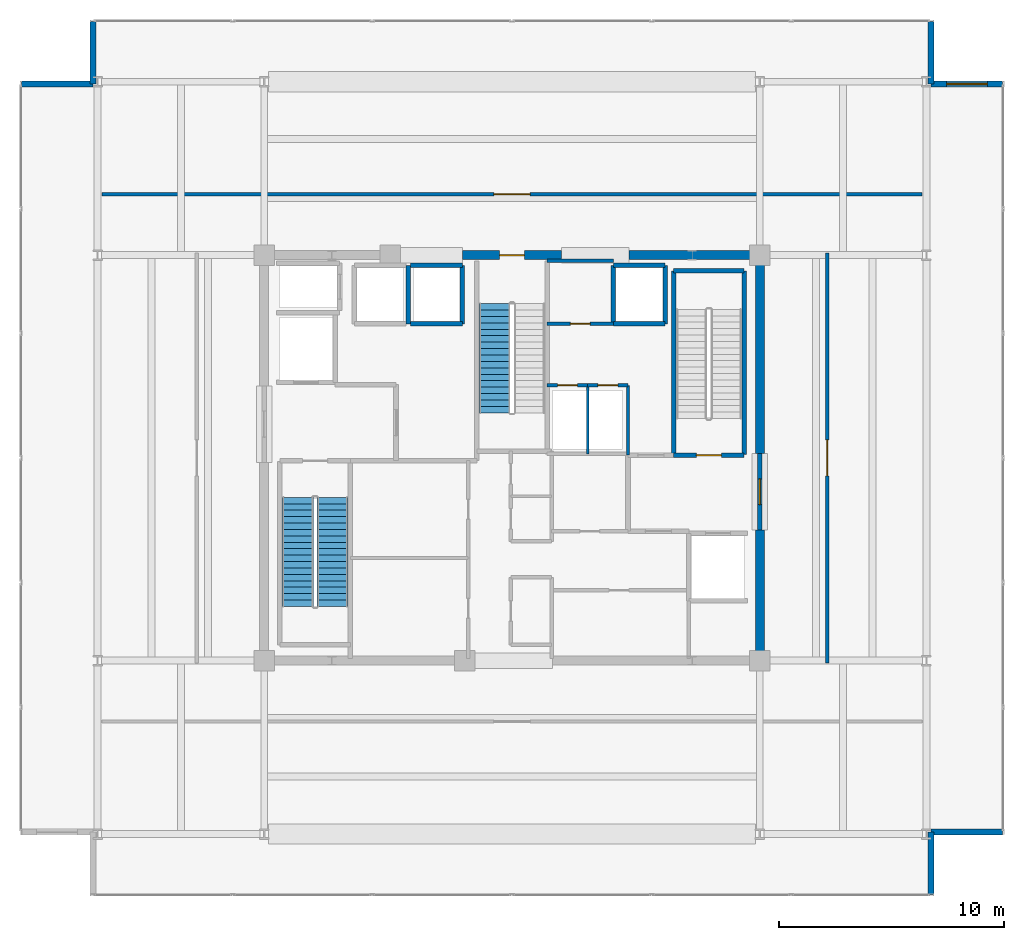
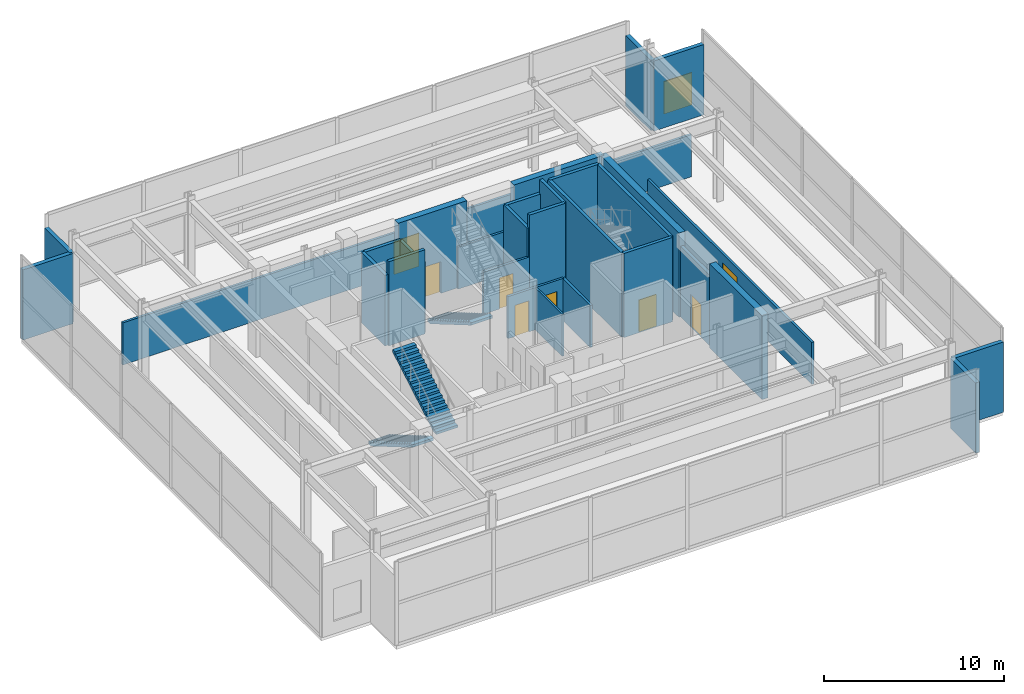
# One storey, part 19 of 21: 31 walls, 8 doors, 3 stair flights, 1 window, 9 openings, 2 elements without a shape of their own.
"""IFC4 building model written with IfcOpenShell, lengths in metres."""

from ifc_helpers import new_model, si_unit, direction, frame, frame_2d, origin, place, context, subcontext, project, spatial, polyline, rectangle, outline, extrude, material, layer, layer_set, type_object, element, fill, aggregate, save


model = new_model("IFC4")

# Units and contexts
model_context = context("Model", 3, precision=1e-05, world=origin(), true_north=direction((0.0, 1.0)))
body_context = subcontext(model_context, "Body", "Model", "MODEL_VIEW")
ifc_project = project(units=[si_unit("LENGTHUNIT", "METRE"), si_unit("AREAUNIT", "SQUARE_METRE"), si_unit("VOLUMEUNIT", "CUBIC_METRE"), si_unit("PLANEANGLEUNIT", "RADIAN"), si_unit("MASSUNIT", "GRAM", prefix="KILO")], contexts=[model_context])

# Site, building, storey
site_placement = place(None, origin())
site = spatial("IfcSite", under=ifc_project, at=site_placement, CompositionType="ELEMENT")
building_placement = place(site_placement, origin())
building = spatial("IfcBuilding", under=site, at=building_placement, Name="Kovane Verandah Tower", CompositionType="ELEMENT")
storey_placement = place(building_placement, frame((0.0, 0.0, 342.800048828125)))
storey = spatial("IfcBuildingStorey", under=building, at=storey_placement, Name="L80", CompositionType="ELEMENT", Elevation=342.800048828125)

# Wall
ifc_material_1 = material(Name="Fire-Rated Gypsum Stud Partition", Category="gypsum")
ifc_layer_1 = layer(ifc_material_1, 0.14990234375)
ifc_layer_set_1 = layer_set([ifc_layer_1], Name="Fire-Rated Gypsum Stud Partition")
wall_type_1 = type_object("IfcWallType", Name="WL-COR-150", PredefinedType="PARTITIONING", material=ifc_layer_set_1)
wall_1_placement = place(storey_placement, frame((45.14990234375, 27.6201171875, 0.0), z_axis=(0.0, 0.0, 1.0), x_axis=(0.0, 1.0, 0.0)))
element("IfcWall", 1, at=wall_1_placement, inside=storey, type_object=wall_type_1, Name="L80 East Core Service Riser East Wall", PredefinedType="PARTITIONING", context=body_context, shape_type="SweptSolid", body=[
    extrude(rectangle(XDim=3.099853515625, YDim=0.14990234375, at=frame_2d((1.5498046875, 0.0))), origin(), (0.0, 0.0, 1.0), 2.849853515625),
])

# Wall, opening, door
wall_2_placement = place(storey_placement, frame((41.56005859375, 30.719970703125, 0.0), z_axis=(0.0, 0.0, 1.0), x_axis=(1.0, 0.0, 0.0)))
wall_2 = element("IfcWall", 2, at=wall_2_placement, inside=storey, type_object=wall_type_1, Name="L80 Chilled Water Riser Room Partition", PredefinedType="PARTITIONING", context=body_context, shape_type="SweptSolid", body=[
    extrude(rectangle(XDim=1.800048828125, YDim=0.14990234375, at=frame_2d((0.89990234375, 0.0))), origin(), (0.0, 0.0, 1.0), 2.849853515625),
])
opening_1_placement = place(wall_2_placement, frame((0.4599609375, 0.0, 0.0)))
opening_1 = element("IfcOpeningElement", 3, at=opening_1_placement, cuts=wall_2, Name="Opening DR-L80-016", PredefinedType="OPENING", context=body_context, shape_type="SweptSolid", body=[
    extrude(rectangle(XDim=0.8798828125, YDim=2.10009765625, at=frame_2d((0.43994140625, 1.050048828125))), frame((0.0, 0.074951171875, 0.0), z_axis=(0.0, -1.0, 0.0), x_axis=(1.0, 0.0, 0.0)), (0.0, 0.0, 1.0), 0.14990234375),
])
ifc_material_2 = material(Name="Fire-Rated Steel Riser Access Door", Category="steel")
door_type_1 = type_object("IfcDoorType", Name="DR-RISER-880", OperationType="SINGLE_SWING_LEFT", PredefinedType="DOOR", material=ifc_material_2)
door_1_placement = place(opening_1_placement, origin())
door_1 = element("IfcDoor", 4, at=door_1_placement, inside=storey, type_object=door_type_1, Name="L80 Chilled Water Riser Room Door", OperationType="SINGLE_SWING_LEFT", OverallHeight=2.10009765625, OverallWidth=0.8798828125, PredefinedType="DOOR", context=body_context, shape_type="SweptSolid", body=[
    extrude(rectangle(XDim=0.8798828125, YDim=2.10009765625, at=frame_2d((0.43994140625, 1.050048828125))), frame((0.0, 0.02490234375, 0.0), z_axis=(0.0, -1.0, 0.0), x_axis=(1.0, 0.0, 0.0)), (0.0, 0.0, 1.0), 0.050048828125),
])
fill(opening_1, door_1)

wall_3_placement = place(storey_placement, frame((43.360107421875, 30.719970703125, 0.0), z_axis=(0.0, 0.0, 1.0), x_axis=(1.0, 0.0, 0.0)))
wall_3 = element("IfcWall", 5, at=wall_3_placement, inside=storey, type_object=wall_type_1, Name="L80 Smoke Extract Duct Room Partition", PredefinedType="PARTITIONING", context=body_context, shape_type="SweptSolid", body=[
    extrude(rectangle(XDim=1.789794921875, YDim=0.14990234375, at=frame_2d((0.89501953125, 0.0))), origin(), (0.0, 0.0, 1.0), 2.849853515625),
])
opening_2_placement = place(wall_3_placement, frame((0.455078125, 0.0, 0.0)))
opening_2 = element("IfcOpeningElement", 6, at=opening_2_placement, cuts=wall_3, Name="Opening DR-L80-017", PredefinedType="OPENING", context=body_context, shape_type="SweptSolid", body=[
    extrude(rectangle(XDim=0.8798828125, YDim=2.10009765625, at=frame_2d((0.43994140625, 1.050048828125))), frame((0.0, 0.074951171875, 0.0), z_axis=(0.0, -1.0, 0.0), x_axis=(1.0, 0.0, 0.0)), (0.0, 0.0, 1.0), 0.14990234375),
])
door_2_placement = place(opening_2_placement, origin())
door_2 = element("IfcDoor", 7, at=door_2_placement, inside=storey, type_object=door_type_1, Name="L80 Smoke Extract Duct Room Door", OperationType="SINGLE_SWING_RIGHT", OverallHeight=2.10009765625, OverallWidth=0.8798828125, PredefinedType="DOOR", context=body_context, shape_type="SweptSolid", body=[
    extrude(rectangle(XDim=0.8798828125, YDim=2.10009765625, at=frame_2d((0.43994140625, 1.050048828125))), frame((0.0, 0.02490234375, 0.0), z_axis=(0.0, -1.0, 0.0), x_axis=(1.0, 0.0, 0.0)), (0.0, 0.0, 1.0), 0.050048828125),
])
fill(opening_2, door_2)

# Wall
wall_4_placement = place(storey_placement, frame((41.56005859375, 36.25, 0.0), z_axis=(0.0, 0.0, 1.0), x_axis=(1.0, 0.0, 0.0)))
element("IfcWall", 8, at=wall_4_placement, inside=storey, type_object=wall_type_1, Name="L80 Sky Telecom Riser North Wall", PredefinedType="PARTITIONING", context=body_context, shape_type="SweptSolid", body=[
    extrude(rectangle(XDim=2.93994140625, YDim=0.14990234375, at=frame_2d((1.469970703125, 0.0))), origin(), (0.0, 0.0, 1.0), 2.849853515625),
])

# Wall, opening, door
wall_5_placement = place(storey_placement, frame((41.56005859375, 33.449951171875, 0.0), z_axis=(0.0, 0.0, 1.0), x_axis=(1.0, 0.0, 0.0)))
wall_5 = element("IfcWall", 9, at=wall_5_placement, inside=storey, type_object=wall_type_1, Name="L80 Sky Telecom Riser Room Partition", PredefinedType="PARTITIONING", context=body_context, shape_type="SweptSolid", body=[
    extrude(rectangle(XDim=2.93994140625, YDim=0.14990234375, at=frame_2d((1.469970703125, 0.0))), origin(), (0.0, 0.0, 1.0), 2.849853515625),
])
opening_3_placement = place(wall_5_placement, frame((1.030029296875, 0.0, 0.0)))
opening_3 = element("IfcOpeningElement", 10, at=opening_3_placement, cuts=wall_5, Name="Opening DR-L80-013", PredefinedType="OPENING", context=body_context, shape_type="SweptSolid", body=[
    extrude(rectangle(XDim=0.8798828125, YDim=2.10009765625, at=frame_2d((0.43994140625, 1.050048828125))), frame((0.0, 0.074951171875, 0.0), z_axis=(0.0, -1.0, 0.0), x_axis=(1.0, 0.0, 0.0)), (0.0, 0.0, 1.0), 0.14990234375),
])
door_3_placement = place(opening_3_placement, origin())
door_3 = element("IfcDoor", 11, at=door_3_placement, inside=storey, type_object=door_type_1, Name="L80 Sky Telecom Riser Room Door", OperationType="SINGLE_SWING_LEFT", OverallHeight=2.10009765625, OverallWidth=0.8798828125, PredefinedType="DOOR", context=body_context, shape_type="SweptSolid", body=[
    extrude(rectangle(XDim=0.8798828125, YDim=2.10009765625, at=frame_2d((0.43994140625, 1.050048828125))), frame((0.0, 0.02490234375, 0.0), z_axis=(0.0, -1.0, 0.0), x_axis=(1.0, 0.0, 0.0)), (0.0, 0.0, 1.0), 0.050048828125),
])
fill(opening_3, door_3)

wall_6_placement = place(storey_placement, frame((21.800048828125, 39.199951171875, 0.0), z_axis=(0.0, 0.0, 1.0), x_axis=(1.0, 0.0, 0.0)))
wall_6 = element("IfcWall", 12, at=wall_6_placement, inside=storey, type_object=wall_type_1, Name="L80 Glazed Tuned Mass Damper Plant Chamber North Corridor Partition", PredefinedType="PARTITIONING", context=body_context, shape_type="SweptSolid", body=[
    extrude(rectangle(XDim=36.39990234375, YDim=0.14990234375, at=frame_2d((18.199951171875, 0.0))), origin(), (0.0, 0.0, 1.0), 2.849853515625),
])
opening_4_placement = place(wall_6_placement, frame((17.39990234375, 0.0, 0.0)))
opening_4 = element("IfcOpeningElement", 13, at=opening_4_placement, cuts=wall_6, Name="Opening DR-L80-018", PredefinedType="OPENING", context=body_context, shape_type="SweptSolid", body=[
    extrude(rectangle(XDim=1.60009765625, YDim=2.25, at=frame_2d((0.800048828125, 1.125))), frame((0.0, 0.074951171875, 0.0), z_axis=(0.0, -1.0, 0.0), x_axis=(1.0, 0.0, 0.0)), (0.0, 0.0, 1.0), 0.14990234375),
])
ifc_material_3 = material(Name="Louvred Acoustic Steel Double Plant Door", Category="steel")
door_type_2 = type_object("IfcDoorType", Name="DR-PLANT-1600", OperationType="DOUBLE_DOOR_SINGLE_SWING", PredefinedType="DOOR", material=ifc_material_3)
door_4_placement = place(opening_4_placement, origin())
door_4 = element("IfcDoor", 14, at=door_4_placement, inside=storey, type_object=door_type_2, Name="L80 Glazed Tuned Mass Damper Plant Chamber North Entrance Door", OperationType="DOUBLE_DOOR_SINGLE_SWING", OverallHeight=2.25, OverallWidth=1.60009765625, PredefinedType="DOOR", context=body_context, shape_type="SweptSolid", body=[
    extrude(rectangle(XDim=1.60009765625, YDim=2.25, at=frame_2d((0.800048828125, 1.125))), frame((0.0, 0.02490234375, 0.0), z_axis=(0.0, -1.0, 0.0), x_axis=(1.0, 0.0, 0.0)), (0.0, 0.0, 1.0), 0.050048828125),
])
fill(opening_4, door_4)

wall_7_placement = place(storey_placement, frame((54.0, 18.39990234375, 0.0), z_axis=(0.0, 0.0, 1.0), x_axis=(0.0, 1.0, 0.0)))
wall_7 = element("IfcWall", 15, at=wall_7_placement, inside=storey, type_object=wall_type_1, Name="L80 Crown Mechanical AHU Plant Room Corridor Partition", PredefinedType="PARTITIONING", context=body_context, shape_type="SweptSolid", body=[
    extrude(rectangle(XDim=18.2001953125, YDim=0.14990234375, at=frame_2d((9.10009765625, 0.0))), origin(), (0.0, 0.0, 1.0), 2.849853515625),
])
opening_5_placement = place(wall_7_placement, frame((8.300048828125, 0.0, 0.0)))
opening_5 = element("IfcOpeningElement", 16, at=opening_5_placement, cuts=wall_7, Name="Opening DR-L80-015", PredefinedType="OPENING", context=body_context, shape_type="SweptSolid", body=[
    extrude(rectangle(XDim=1.60009765625, YDim=2.25, at=frame_2d((0.800048828125, 1.125))), frame((0.0, 0.074951171875, 0.0), z_axis=(0.0, -1.0, 0.0), x_axis=(1.0, 0.0, 0.0)), (0.0, 0.0, 1.0), 0.14990234375),
])
door_5_placement = place(opening_5_placement, origin())
door_5 = element("IfcDoor", 17, at=door_5_placement, inside=storey, type_object=door_type_2, Name="L80 Crown Mechanical AHU Plant Room Entrance Door", OperationType="DOUBLE_DOOR_SINGLE_SWING", OverallHeight=2.25, OverallWidth=1.60009765625, PredefinedType="DOOR", context=body_context, shape_type="SweptSolid", body=[
    extrude(rectangle(XDim=1.60009765625, YDim=2.25, at=frame_2d((0.800048828125, 1.125))), frame((0.0, 0.02490234375, 0.0), z_axis=(0.0, -1.0, 0.0), x_axis=(1.0, 0.0, 0.0)), (0.0, 0.0, 1.0), 0.050048828125),
])
fill(opening_5, door_5)

ifc_material_4 = material(Name="Concrete C60/75", Category="concrete")
ifc_layer_2 = layer(ifc_material_4, 0.39990234375)
ifc_layer_set_2 = layer_set([ifc_layer_2], Name="Concrete C60/75")
wall_type_2 = type_object("IfcWallType", Name="WL-CORE-400", PredefinedType="SHEAR", material=ifc_layer_set_2)
wall_8_placement = place(storey_placement, frame((37.800048828125, 36.5, 0.0), z_axis=(0.0, 0.0, 1.0), x_axis=(1.0, 0.0, 0.0)))
wall_8 = element("IfcWall", 18, at=wall_8_placement, inside=storey, type_object=wall_type_2, Name="L80 Core Shear Wall CN-2", PredefinedType="SHEAR", context=body_context, shape_type="SweptSolid", body=[
    extrude(rectangle(XDim=4.39990234375, YDim=0.39990234375, at=frame_2d((2.199951171875, 0.0))), origin(), (0.0, 0.0, 1.0), 5.699951171875),
])
opening_6_placement = place(wall_8_placement, frame((1.64990234375, 0.0, 0.0)))
opening_6 = element("IfcOpeningElement", 19, at=opening_6_placement, cuts=wall_8, Name="Opening DR-L80-008", PredefinedType="OPENING", context=body_context, shape_type="SweptSolid", body=[
    extrude(rectangle(XDim=1.10009765625, YDim=2.14990234375, at=frame_2d((0.550048828125, 1.074951171875))), frame((0.0, 0.199951171875, 0.0), z_axis=(0.0, -1.0, 0.0), x_axis=(1.0, 0.0, 0.0)), (0.0, 0.0, 1.0), 0.39990234375),
])
ifc_material_5 = material(Name="Fire-Rated Steel Exit Door", Category="steel")
door_type_3 = type_object("IfcDoorType", Name="DR-STAIR-1100", OperationType="SINGLE_SWING_LEFT", PredefinedType="DOOR", material=ifc_material_5)
door_6_placement = place(opening_6_placement, origin())
door_6 = element("IfcDoor", 20, at=door_6_placement, inside=storey, type_object=door_type_3, Name="L80 ST-03 Fire Exit Stair Door", OperationType="SINGLE_SWING_LEFT", OverallHeight=2.14990234375, OverallWidth=1.10009765625, PredefinedType="DOOR", context=body_context, shape_type="SweptSolid", body=[
    extrude(rectangle(XDim=1.10009765625, YDim=2.14990234375, at=frame_2d((0.550048828125, 1.074951171875))), frame((0.0, 0.02490234375, 0.0), z_axis=(0.0, -1.0, 0.0), x_axis=(1.0, 0.0, 0.0)), (0.0, 0.0, 1.0), 0.050048828125),
])
fill(opening_6, door_6)

# Walls
for number, where, z_axis, x_axis, name in (
    (21, (45.199951171875, 36.5, 0.0), (0.0, 0.0, 1.0), (1.0, 0.0, 0.0), "L80 Core Shear Wall CN-3"),
    (22, (51.0, 18.5, 0.0), (0.0, 0.0, 1.0), (0.0, 1.0, 0.0), "L80 Core Shear Wall CE-1"),
):
    element("IfcWall", number, at=place(storey_placement, frame(where, z_axis=z_axis, x_axis=x_axis)), inside=storey, type_object=wall_type_2, Name=name, PredefinedType="SHEAR", context=body_context, shape_type="SweptSolid", body=[
        extrude(rectangle(XDim=5.800048828125, YDim=0.39990234375, at=frame_2d((2.89990234375, 0.0))), origin(), (0.0, 0.0, 1.0), 5.699951171875),
    ])
wall_9_placement = place(storey_placement, frame((51.0, 27.699951171875, 0.0), z_axis=(0.0, 0.0, 1.0), x_axis=(0.0, 1.0, 0.0)))
element("IfcWall", 23, at=wall_9_placement, inside=storey, type_object=wall_type_2, Name="L80 Core Shear Wall CE-2", PredefinedType="SHEAR", context=body_context, shape_type="SweptSolid", body=[
    extrude(rectangle(XDim=8.800048828125, YDim=0.39990234375, at=frame_2d((4.39990234375, 0.0))), origin(), (0.0, 0.0, 1.0), 5.699951171875),
])

# Wall, opening, door
ifc_material_6 = material(Name="Concrete C45/55 Fire Wall", Category="concrete")
ifc_layer_3 = layer(ifc_material_6, 0.199951171875)
ifc_layer_set_3 = layer_set([ifc_layer_3], Name="Concrete C45/55 Fire Wall")
wall_type_3 = type_object("IfcWallType", Name="WL-FFL-200", PredefinedType="PARTITIONING", material=ifc_layer_set_3)
wall_10_placement = place(storey_placement, frame((51.0, 24.300048828125, 0.0), z_axis=(0.0, 0.0, 1.0), x_axis=(0.0, 1.0, 0.0)))
wall_10 = element("IfcWall", 24, at=wall_10_placement, inside=storey, type_object=wall_type_3, Name="W-L80-FFLE-OUT", PredefinedType="PARTITIONING", context=body_context, shape_type="SweptSolid", body=[
    extrude(rectangle(XDim=3.39990234375, YDim=0.199951171875, at=frame_2d((1.699951171875, 0.0))), origin(), (0.0, 0.0, 1.0), 4.780029296875),
])
opening_7_placement = place(wall_10_placement, frame((1.125, 0.0, 0.0)))
opening_7 = element("IfcOpeningElement", 25, at=opening_7_placement, cuts=wall_10, Name="Opening DR-L80-003", PredefinedType="OPENING", context=body_context, shape_type="SweptSolid", body=[
    extrude(rectangle(XDim=1.14990234375, YDim=2.199951171875, at=frame_2d((0.574951171875, 1.10009765625))), frame((0.0, 0.10009765625, 0.0), z_axis=(0.0, -1.0, 0.0), x_axis=(1.0, 0.0, 0.0)), (0.0, 0.0, 1.0), 0.199951171875),
])
ifc_material_7 = material(Name="Smoke-Sealed Firefighting Lobby Door", Category="steel")
door_type_4 = type_object("IfcDoorType", Name="DR-FFL-1150", OperationType="SINGLE_SWING_LEFT", PredefinedType="DOOR", material=ifc_material_7)
door_7_placement = place(opening_7_placement, origin())
door_7 = element("IfcDoor", 26, at=door_7_placement, inside=storey, type_object=door_type_4, Name="L80 East Firefighting Lobby Corridor Door", OperationType="SINGLE_SWING_LEFT", OverallHeight=2.199951171875, OverallWidth=1.14990234375, PredefinedType="DOOR", context=body_context, shape_type="SweptSolid", body=[
    extrude(rectangle(XDim=1.14990234375, YDim=2.199951171875, at=frame_2d((0.574951171875, 1.10009765625))), frame((0.0, 0.02490234375, 0.0), z_axis=(0.0, -1.0, 0.0), x_axis=(1.0, 0.0, 0.0)), (0.0, 0.0, 1.0), 0.050048828125),
])
fill(opening_7, door_7)

# Walls
ifc_material_8 = material(Name="Concrete C45/55 Lift Shaft Wall", Category="concrete")
ifc_layer_4 = layer(ifc_material_8, 0.199951171875)
ifc_layer_set_4 = layer_set([ifc_layer_4], Name="Concrete C45/55 Lift Shaft Wall")
wall_type_4 = type_object("IfcWallType", Name="WL-LIFT-200", PredefinedType="SOLIDWALL", material=ifc_layer_set_4)
wall_11_placement = place(storey_placement, frame((35.39990234375, 33.449951171875, 0.0), z_axis=(0.0, 0.0, 1.0), x_axis=(0.0, 1.0, 0.0)))
element("IfcWall", 27, at=wall_11_placement, inside=storey, type_object=wall_type_4, Name="L80 Lift PL-H1 and PL-H2 Shared Shaft Wall", PredefinedType="SOLIDWALL", context=body_context, shape_type="SweptSolid", body=[
    extrude(rectangle(XDim=2.60009765625, YDim=0.199951171875, at=frame_2d((1.300048828125, 0.0))), origin(), (0.0, 0.0, 1.0), 4.780029296875),
])
wall_12_placement = place(storey_placement, frame((35.5, 33.449951171875, 0.0), z_axis=(0.0, 0.0, 1.0), x_axis=(1.0, 0.0, 0.0)))
element("IfcWall", 28, at=wall_12_placement, inside=storey, type_object=wall_type_4, Name="L80 Lift PL-H2 S Shaft Wall", PredefinedType="SOLIDWALL", context=body_context, shape_type="SweptSolid", body=[
    extrude(rectangle(XDim=2.300048828125, YDim=0.199951171875, at=frame_2d((1.14990234375, 0.0))), origin(), (0.0, 0.0, 1.0), 5.699951171875),
])
wall_13_placement = place(storey_placement, frame((37.800048828125, 36.050048828125, 0.0), z_axis=(0.0, 0.0, 1.0), x_axis=(-1.0, 0.0, 0.0)))
element("IfcWall", 29, at=wall_13_placement, inside=storey, type_object=wall_type_4, Name="L80 Lift PL-H2 N Shaft Wall", PredefinedType="SOLIDWALL", context=body_context, shape_type="SweptSolid", body=[
    extrude(rectangle(XDim=2.300048828125, YDim=0.199951171875, at=frame_2d((1.14990234375, 0.0))), origin(), (0.0, 0.0, 1.0), 4.780029296875),
])
wall_14_placement = place(storey_placement, frame((37.800048828125, 33.449951171875, 0.0), z_axis=(0.0, 0.0, 1.0), x_axis=(0.0, 1.0, 0.0)))
element("IfcWall", 30, at=wall_14_placement, inside=storey, type_object=wall_type_4, Name="L80 Lift PL-H2 E Shaft Wall", PredefinedType="SOLIDWALL", context=body_context, shape_type="SweptSolid", body=[
    extrude(rectangle(XDim=2.60009765625, YDim=0.199951171875, at=frame_2d((1.300048828125, 0.0))), origin(), (0.0, 0.0, 1.0), 4.780029296875),
])
wall_15_placement = place(storey_placement, frame((44.5, 33.449951171875, 0.0), z_axis=(0.0, 0.0, 1.0), x_axis=(1.0, 0.0, 0.0)))
element("IfcWall", 31, at=wall_15_placement, inside=storey, type_object=wall_type_4, Name="L80 Lift OL-01 S Shaft Wall", PredefinedType="SOLIDWALL", context=body_context, shape_type="SweptSolid", body=[
    extrude(rectangle(XDim=2.300048828125, YDim=0.199951171875, at=frame_2d((1.14990234375, 0.0))), origin(), (0.0, 0.0, 1.0), 5.699951171875),
])
wall_16_placement = place(storey_placement, frame((46.800048828125, 36.050048828125, 0.0), z_axis=(0.0, 0.0, 1.0), x_axis=(-1.0, 0.0, 0.0)))
element("IfcWall", 32, at=wall_16_placement, inside=storey, type_object=wall_type_4, Name="L80 Lift OL-01 N Shaft Wall", PredefinedType="SOLIDWALL", context=body_context, shape_type="SweptSolid", body=[
    extrude(rectangle(XDim=2.300048828125, YDim=0.199951171875, at=frame_2d((1.14990234375, 0.0))), origin(), (0.0, 0.0, 1.0), 4.780029296875),
])
wall_17_placement = place(storey_placement, frame((44.5, 36.050048828125, 0.0), z_axis=(0.0, 0.0, 1.0), x_axis=(0.0, -1.0, 0.0)))
element("IfcWall", 33, at=wall_17_placement, inside=storey, type_object=wall_type_4, Name="L80 Lift OL-01 W Shaft Wall", PredefinedType="SOLIDWALL", context=body_context, shape_type="SweptSolid", body=[
    extrude(rectangle(XDim=2.60009765625, YDim=0.199951171875, at=frame_2d((1.300048828125, 0.0))), origin(), (0.0, 0.0, 1.0), 4.780029296875),
])
wall_18_placement = place(storey_placement, frame((46.800048828125, 33.449951171875, 0.0), z_axis=(0.0, 0.0, 1.0), x_axis=(0.0, 1.0, 0.0)))
element("IfcWall", 34, at=wall_18_placement, inside=storey, type_object=wall_type_4, Name="L80 Lift OL-01 E Shaft Wall", PredefinedType="SOLIDWALL", context=body_context, shape_type="SweptSolid", body=[
    extrude(rectangle(XDim=2.60009765625, YDim=0.199951171875, at=frame_2d((1.300048828125, 0.0))), origin(), (0.0, 0.0, 1.0), 5.699951171875),
])
ifc_material_9 = material(Name="Acoustic Fire-Rated Gypsum Partition", Category="gypsum")
ifc_layer_5 = layer(ifc_material_9, 0.1201171875)
ifc_layer_set_5 = layer_set([ifc_layer_5], Name="Acoustic Fire-Rated Gypsum Partition")
wall_type_5 = type_object("IfcWallType", Name="WL-PART-120", PredefinedType="PARTITIONING", material=ifc_layer_set_5)
wall_19_placement = place(storey_placement, frame((43.360107421875, 27.679931640625, 0.0), z_axis=(0.0, 0.0, 1.0), x_axis=(0.0, 1.0, 0.0)))
element("IfcWall", 35, at=wall_19_placement, inside=storey, type_object=wall_type_5, Name="L80 Service Riser Dividing Partition", PredefinedType="PARTITIONING", context=body_context, shape_type="SweptSolid", body=[
    extrude(rectangle(XDim=3.0400390625, YDim=0.1201171875, at=frame_2d((1.52001953125, 0.0))), origin(), (0.0, 0.0, 1.0), 2.849853515625),
])
ifc_material_10 = material(Name="Concrete C45/55", Category="concrete")
ifc_layer_6 = layer(ifc_material_10, 0.199951171875)
ifc_layer_set_6 = layer_set([ifc_layer_6], Name="Concrete C45/55")
wall_type_6 = type_object("IfcWallType", Name="WL-SHAFT-200", PredefinedType="SOLIDWALL", material=ifc_layer_set_6)
wall_20_placement = place(storey_placement, frame((50.300048828125, 27.64990234375, 0.0), z_axis=(0.0, 0.0, 1.0), x_axis=(0.0, 1.0, 0.0)))
element("IfcWall", 36, at=wall_20_placement, inside=storey, type_object=wall_type_6, Name="W-L80-ST02-E", PredefinedType="SOLIDWALL", context=body_context, shape_type="SweptSolid", body=[
    extrude(rectangle(XDim=8.150146484375, YDim=0.199951171875, at=frame_2d((4.0751953125, 0.0))), origin(), (0.0, 0.0, 1.0), 5.699951171875),
])
wall_21_placement = place(storey_placement, frame((47.179931640625, 35.800048828125, 0.0), z_axis=(0.0, 0.0, 1.0), x_axis=(1.0, 0.0, 0.0)))
element("IfcWall", 37, at=wall_21_placement, inside=storey, type_object=wall_type_6, Name="W-L80-ST02-N", PredefinedType="SOLIDWALL", context=body_context, shape_type="SweptSolid", body=[
    extrude(rectangle(XDim=3.1201171875, YDim=0.199951171875, at=frame_2d((1.56005859375, 0.0))), origin(), (0.0, 0.0, 1.0), 5.699951171875),
])
wall_22_placement = place(storey_placement, frame((47.179931640625, 27.6201171875, 0.0), z_axis=(0.0, 0.0, 1.0), x_axis=(0.0, 1.0, 0.0)))
element("IfcWall", 38, at=wall_22_placement, inside=storey, type_object=wall_type_6, Name="W-L80-ST02-W", PredefinedType="SOLIDWALL", context=body_context, shape_type="SweptSolid", body=[
    extrude(rectangle(XDim=8.179931640625, YDim=0.199951171875, at=frame_2d((4.08984375, 0.0))), origin(), (0.0, 0.0, 1.0), 5.699951171875),
])

# Wall, opening, door
wall_23_placement = place(storey_placement, frame((47.179931640625, 27.6201171875, 0.0), z_axis=(0.0, 0.0, 1.0), x_axis=(1.0, 0.0, 0.0)))
wall_23 = element("IfcWall", 39, at=wall_23_placement, inside=storey, type_object=wall_type_6, Name="W-L80-ST02-S", PredefinedType="SOLIDWALL", context=body_context, shape_type="SweptSolid", body=[
    extrude(rectangle(XDim=3.1201171875, YDim=0.199951171875, at=frame_2d((1.56005859375, 0.0))), origin(), (0.0, 0.0, 1.0), 5.699951171875),
])
opening_8_placement = place(wall_23_placement, frame((1.010009765625, 0.0, 0.0)))
opening_8 = element("IfcOpeningElement", 40, at=opening_8_placement, cuts=wall_23, Name="Opening DR-L80-007", PredefinedType="OPENING", context=body_context, shape_type="SweptSolid", body=[
    extrude(rectangle(XDim=1.10009765625, YDim=2.14990234375, at=frame_2d((0.550048828125, 1.074951171875))), frame((0.0, 0.10009765625, 0.0), z_axis=(0.0, -1.0, 0.0), x_axis=(1.0, 0.0, 0.0)), (0.0, 0.0, 1.0), 0.199951171875),
])
door_8_placement = place(opening_8_placement, origin())
door_8 = element("IfcDoor", 41, at=door_8_placement, inside=storey, type_object=door_type_3, Name="L80 ST-02 Fire Exit Stair Door", OperationType="SINGLE_SWING_RIGHT", OverallHeight=2.14990234375, OverallWidth=1.10009765625, PredefinedType="DOOR", context=body_context, shape_type="SweptSolid", body=[
    extrude(rectangle(XDim=1.10009765625, YDim=2.14990234375, at=frame_2d((0.550048828125, 1.074951171875))), frame((0.0, 0.02490234375, 0.0), z_axis=(0.0, -1.0, 0.0), x_axis=(1.0, 0.0, 0.0)), (0.0, 0.0, 1.0), 0.050048828125),
])
fill(opening_8, door_8)

# Walls
ifc_material_11 = material(Name="Concrete C45/55 Insulated Spandrel Wall", Category="concrete")
ifc_layer_7 = layer(ifc_material_11, 0.260009765625)
ifc_layer_set_7 = layer_set([ifc_layer_7], Name="Concrete C45/55 Insulated Spandrel Wall")
wall_type_7 = type_object("IfcWallType", Name="WL-SPANDREL-260", PredefinedType="PARAPET", material=ifc_layer_set_7)
wall_24_placement = place(storey_placement, frame((58.60009765625, 8.10009765625, 0.0), z_axis=(0.0, 0.0, 1.0), x_axis=(0.0, 1.0, 0.0)))
element("IfcWall", 42, at=wall_24_placement, inside=storey, type_object=wall_type_7, Name="L80 SE Notch Cheek Wall 1", PredefinedType="PARAPET", context=body_context, shape_type="SweptSolid", body=[
    extrude(rectangle(XDim=2.7998046875, YDim=0.260009765625, at=frame_2d((1.39990234375, 0.0))), origin(), (0.0, 0.0, 1.0), 4.75341796875),
])
wall_25_placement = place(storey_placement, frame((58.60009765625, 10.89990234375, 0.0), z_axis=(0.0, 0.0, 1.0), x_axis=(1.0, 0.0, 0.0)))
element("IfcWall", 43, at=wall_25_placement, inside=storey, type_object=wall_type_7, Name="L80 SE Notch Cheek Wall 2", PredefinedType="PARAPET", context=body_context, shape_type="SweptSolid", body=[
    extrude(rectangle(XDim=3.199951171875, YDim=0.260009765625, at=frame_2d((1.60009765625, 0.0))), origin(), (0.0, 0.0, 1.0), 4.75341796875),
])

# Wall, opening, window
wall_26_placement = place(storey_placement, frame((61.800048828125, 44.10009765625, 0.0), z_axis=(0.0, 0.0, 1.0), x_axis=(-1.0, 0.0, 0.0)))
wall_26 = element("IfcWall", 44, at=wall_26_placement, inside=storey, type_object=wall_type_7, Name="L80 NE Notch Cheek Wall 1", PredefinedType="PARAPET", context=body_context, shape_type="SweptSolid", body=[
    extrude(rectangle(XDim=3.199951171875, YDim=0.260009765625, at=frame_2d((1.60009765625, 0.0))), origin(), (0.0, 0.0, 1.0), 4.75341796875),
])
opening_9_placement = place(wall_26_placement, frame((0.699951171875, 0.0, 0.85009765625)))
opening_9 = element("IfcOpeningElement", 45, at=opening_9_placement, cuts=wall_26, Name="Opening W-03", PredefinedType="OPENING", context=body_context, shape_type="SweptSolid", body=[
    extrude(rectangle(XDim=1.800048828125, YDim=2.199951171875, at=frame_2d((0.89990234375, 1.10009765625))), frame((0.0, 0.1298828125, 0.0), z_axis=(0.0, -1.0, 0.0), x_axis=(1.0, 0.0, 0.0)), (0.0, 0.0, 1.0), 0.260009765625),
])
ifc_material_12 = material(Name="Clear Low-E Laminated Double Glazing in Anodised Frame", Category="glass")
window_type = type_object("IfcWindowType", Name="WN-NOTCH-1800x2200", PartitioningType="SINGLE_PANEL", PredefinedType="WINDOW", material=ifc_material_12)
window_placement = place(opening_9_placement, origin())
window = element("IfcWindow", 46, at=window_placement, inside=storey, type_object=window_type, Name="L80 NE Re-Entrant Corner Operable Window", OverallHeight=2.199951171875, OverallWidth=1.800048828125, PartitioningType="SINGLE_PANEL", PredefinedType="WINDOW", context=body_context, shape_type="SweptSolid", body=[
    extrude(rectangle(XDim=1.800048828125, YDim=2.199951171875, at=frame_2d((0.89990234375, 1.10009765625))), frame((0.0, 0.030029296875, 0.0), z_axis=(0.0, -1.0, 0.0), x_axis=(1.0, 0.0, 0.0)), (0.0, 0.0, 1.0), 0.06005859375),
])
fill(opening_9, window)

# Walls
for number, where, z_axis, x_axis, name in (
    (47, (58.60009765625, 44.10009765625, 0.0), (0.0, 0.0, 1.0), (0.0, 1.0, 0.0), "L80 NE Notch Cheek Wall 2"),
    (48, (21.39990234375, 46.89990234375, 0.0), (0.0, 0.0, 1.0), (0.0, -1.0, 0.0), "L80 NW Notch Cheek Wall 1"),
):
    element("IfcWall", number, at=place(storey_placement, frame(where, z_axis=z_axis, x_axis=x_axis)), inside=storey, type_object=wall_type_7, Name=name, PredefinedType="PARAPET", context=body_context, shape_type="SweptSolid", body=[
        extrude(rectangle(XDim=2.7998046875, YDim=0.260009765625, at=frame_2d((1.39990234375, 0.0))), origin(), (0.0, 0.0, 1.0), 4.75341796875),
    ])
wall_27_placement = place(storey_placement, frame((21.39990234375, 44.10009765625, 0.0), z_axis=(0.0, 0.0, 1.0), x_axis=(-1.0, 0.0, 0.0)))
element("IfcWall", 49, at=wall_27_placement, inside=storey, type_object=wall_type_7, Name="L80 NW Notch Cheek Wall 2", PredefinedType="PARAPET", context=body_context, shape_type="SweptSolid", body=[
    extrude(rectangle(XDim=3.199951171875, YDim=0.260009765625, at=frame_2d((1.60009765625, 0.0))), origin(), (0.0, 0.0, 1.0), 4.75341796875),
])

# Stair, stair flights
stair_type = type_object("IfcStairType", Name="ST-CORE-1380", PredefinedType="HALF_TURN_STAIR", material=ifc_material_10)
stair_1_placement = place(storey_placement, origin())
stair_1 = element("IfcStair", 50, at=stair_1_placement, inside=storey, type_object=stair_type, Name="L80 Exit Stair ST-01", PredefinedType="HALF_TURN_STAIR")
stair_flight_type = type_object("IfcStairFlightType", Name="STF-CORE-1380", PredefinedType="STRAIGHT", material=ifc_material_10)
stair_flight_1_placement = place(storey_placement, frame((30.489990234375, 25.75, 0.0), z_axis=(0.0, 0.0, 1.0), x_axis=(0.0, -1.0, 0.0)))
stair_flight_1 = element("IfcStairFlight", 51, at=stair_flight_1_placement, type_object=stair_flight_type, Name="ST-01 flight 1", NumberOfRisers=18, NumberOfTreads=17, PredefinedType="STRAIGHT", RiserHeight=0.166666667, TreadLength=0.285, context=body_context, shape_type="SweptSolid", body=[
    extrude(outline(polyline([(0.0, 0.0), (0.0, 0.166748046875), (0.284912109375, 0.166748046875), (0.284912109375, 0.333251953125), (0.570068359375, 0.333251953125), (0.570068359375, 0.5), (0.85498046875, 0.5), (0.85498046875, 0.666748046875), (1.139892578125, 0.666748046875), (1.139892578125, 0.833251953125), (1.425048828125, 0.833251953125), (1.425048828125, 1.0), (1.7099609375, 1.0), (1.7099609375, 1.166748046875), (1.9951171875, 1.166748046875), (1.9951171875, 1.333251953125), (2.280029296875, 1.333251953125), (2.280029296875, 1.5), (2.56494140625, 1.5), (2.56494140625, 1.666748046875), (2.85009765625, 1.666748046875), (2.85009765625, 1.833251953125), (3.135009765625, 1.833251953125), (3.135009765625, 2.0), (3.419921875, 2.0), (3.419921875, 2.166748046875), (3.705078125, 2.166748046875), (3.705078125, 2.333251953125), (3.989990234375, 2.333251953125), (3.989990234375, 2.5), (4.27490234375, 2.5), (4.27490234375, 2.666748046875), (4.56005859375, 2.666748046875), (4.56005859375, 2.833251953125), (4.844970703125, 2.833251953125), (4.844970703125, 3.0), (4.844970703125, 2.65966796875), (0.296875, 0.0), (0.0, 0.0)])), frame((0.0, 0.68994140625, 0.0), z_axis=(0.0, -1.0, 0.0), x_axis=(1.0, 0.0, 0.0)), (0.0, 0.0, 1.0), 1.3798828125),
])
stair_flight_2_placement = place(storey_placement, frame((32.030029296875, 20.905029296875, 3.0), z_axis=(0.0, 0.0, 1.0), x_axis=(0.0, 1.0, 0.0)))
stair_flight_2 = element("IfcStairFlight", 52, at=stair_flight_2_placement, type_object=stair_flight_type, Name="ST-01 flight 2", NumberOfRisers=18, NumberOfTreads=17, PredefinedType="STRAIGHT", RiserHeight=0.166666667, TreadLength=0.285, context=body_context, shape_type="SweptSolid", body=[
    extrude(outline(polyline([(0.0, 0.0), (0.0, 0.166748046875), (0.284912109375, 0.166748046875), (0.284912109375, 0.333251953125), (0.570068359375, 0.333251953125), (0.570068359375, 0.5), (0.85498046875, 0.5), (0.85498046875, 0.666748046875), (1.139892578125, 0.666748046875), (1.139892578125, 0.833251953125), (1.425048828125, 0.833251953125), (1.425048828125, 1.0), (1.7099609375, 1.0), (1.7099609375, 1.166748046875), (1.9951171875, 1.166748046875), (1.9951171875, 1.333251953125), (2.280029296875, 1.333251953125), (2.280029296875, 1.5), (2.56494140625, 1.5), (2.56494140625, 1.666748046875), (2.85009765625, 1.666748046875), (2.85009765625, 1.833251953125), (3.135009765625, 1.833251953125), (3.135009765625, 2.0), (3.419921875, 2.0), (3.419921875, 2.166748046875), (3.705078125, 2.166748046875), (3.705078125, 2.333251953125), (3.989990234375, 2.333251953125), (3.989990234375, 2.5), (4.27490234375, 2.5), (4.27490234375, 2.666748046875), (4.56005859375, 2.666748046875), (4.56005859375, 2.833251953125), (4.844970703125, 2.833251953125), (4.844970703125, 3.0), (4.844970703125, 2.65966796875), (0.296875, 0.0), (0.0, 0.0)])), frame((0.0, 0.68994140625, 0.0), z_axis=(0.0, -1.0, 0.0), x_axis=(1.0, 0.0, 0.0)), (0.0, 0.0, 1.0), 1.3798828125),
])
aggregate(stair_1, [stair_flight_1, stair_flight_2])

# Stair, stair flight
stair_2_placement = place(storey_placement, origin())
stair_2 = element("IfcStair", 53, at=stair_2_placement, inside=storey, type_object=stair_type, Name="L80 Exit Stair ST-03", PredefinedType="HALF_TURN_STAIR")
stair_flight_3_placement = place(storey_placement, frame((39.22998046875, 34.35009765625, 0.0), z_axis=(0.0, 0.0, 1.0), x_axis=(0.0, -1.0, 0.0)))
stair_flight_3 = element("IfcStairFlight", 54, at=stair_flight_3_placement, type_object=stair_flight_type, Name="ST-03 flight 1", NumberOfRisers=18, NumberOfTreads=17, PredefinedType="STRAIGHT", RiserHeight=0.166666667, TreadLength=0.285, context=body_context, shape_type="SweptSolid", body=[
    extrude(outline(polyline([(0.0, 0.0), (0.0, 0.166748046875), (0.284912109375, 0.166748046875), (0.284912109375, 0.333251953125), (0.570068359375, 0.333251953125), (0.570068359375, 0.5), (0.85498046875, 0.5), (0.85498046875, 0.666748046875), (1.139892578125, 0.666748046875), (1.139892578125, 0.833251953125), (1.425048828125, 0.833251953125), (1.425048828125, 1.0), (1.7099609375, 1.0), (1.7099609375, 1.166748046875), (1.9951171875, 1.166748046875), (1.9951171875, 1.333251953125), (2.280029296875, 1.333251953125), (2.280029296875, 1.5), (2.56494140625, 1.5), (2.56494140625, 1.666748046875), (2.85009765625, 1.666748046875), (2.85009765625, 1.833251953125), (3.135009765625, 1.833251953125), (3.135009765625, 2.0), (3.419921875, 2.0), (3.419921875, 2.166748046875), (3.705078125, 2.166748046875), (3.705078125, 2.333251953125), (3.989990234375, 2.333251953125), (3.989990234375, 2.5), (4.27490234375, 2.5), (4.27490234375, 2.666748046875), (4.56005859375, 2.666748046875), (4.56005859375, 2.833251953125), (4.844970703125, 2.833251953125), (4.844970703125, 3.0), (4.844970703125, 2.65966796875), (0.296875, 0.0), (0.0, 0.0)])), frame((0.0, 0.68994140625, 0.0), z_axis=(0.0, -1.0, 0.0), x_axis=(1.0, 0.0, 0.0)), (0.0, 0.0, 1.0), 1.3798828125),
])
aggregate(stair_2, [stair_flight_3])

save(model, "model.ifc")
